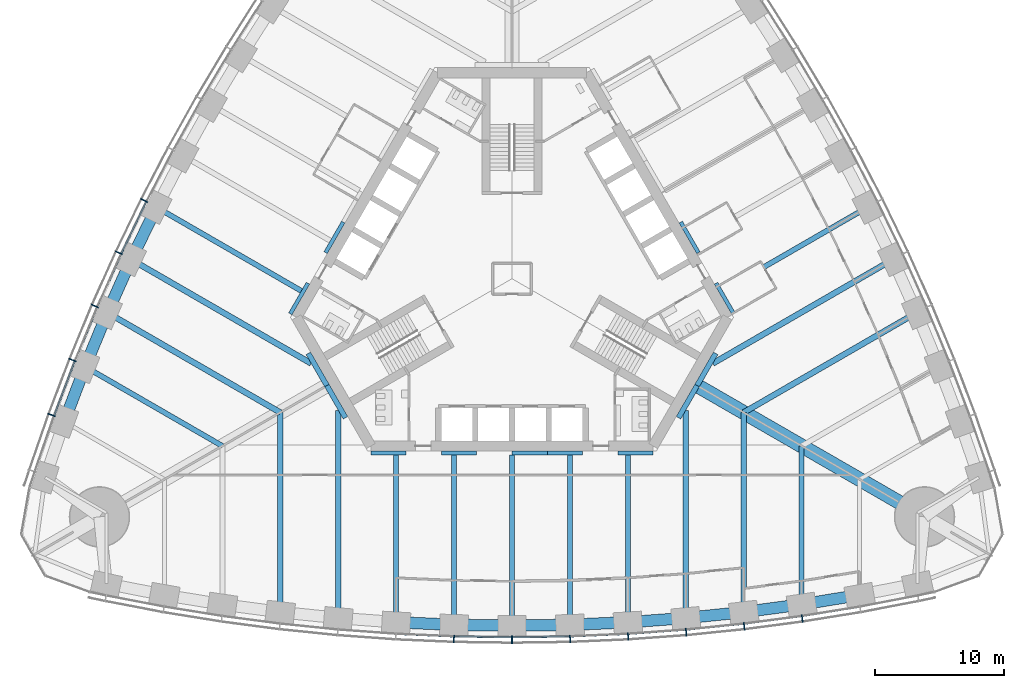
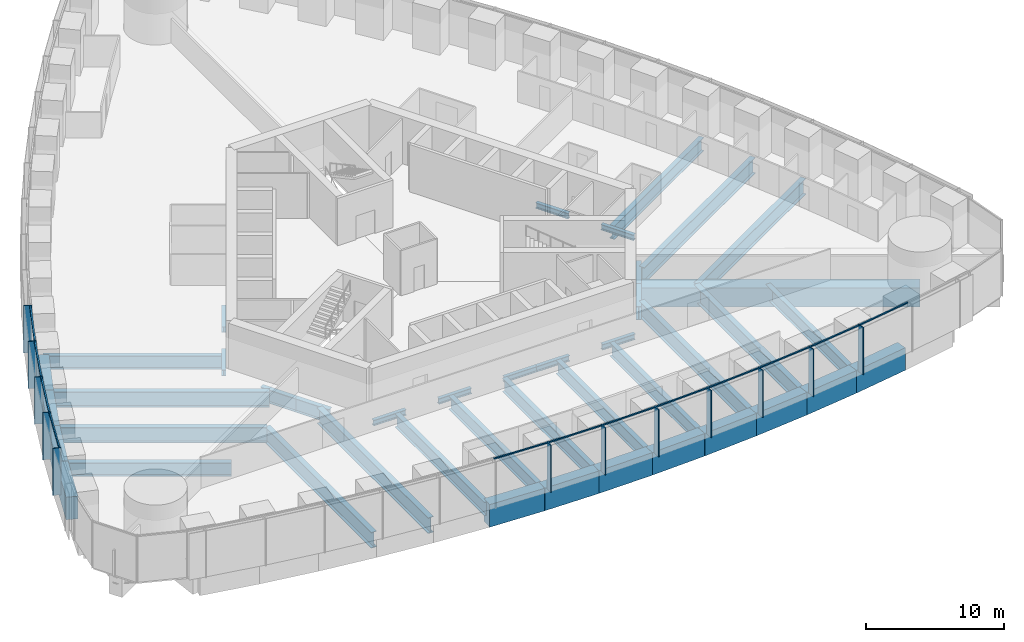
# One storey, part 3 of 19: 43 beams, 24 members, 2 elements without a shape of their own.
"""IFC4 building model written with IfcOpenShell, lengths in metres."""

from ifc_helpers import new_model, si_unit, direction, frame, origin, origin_2d, place, context, subcontext, project, spatial, rectangle, i_section, extrude, material, material_profile, profile_set, type_object, element, aggregate, save


model = new_model("IFC4")

# Units and contexts
model_context = context("Model", 3, precision=1e-05, world=origin(), true_north=direction((0.0, 1.0)))
body_context = subcontext(model_context, "Body", "Model", "MODEL_VIEW")
ifc_project = project(units=[si_unit("LENGTHUNIT", "METRE"), si_unit("AREAUNIT", "SQUARE_METRE"), si_unit("VOLUMEUNIT", "CUBIC_METRE"), si_unit("PLANEANGLEUNIT", "RADIAN"), si_unit("MASSUNIT", "GRAM", prefix="KILO")], contexts=[model_context])

# Site, building, storey
site_placement = place(None, origin())
site = spatial("IfcSite", under=ifc_project, at=site_placement, CompositionType="ELEMENT")
building_placement = place(site_placement, origin())
building = spatial("IfcBuilding", under=site, at=building_placement, Name="Trefoil Bronze Tower", CompositionType="ELEMENT")
storey_placement = place(building_placement, frame((0.0, 0.0, 83.699951171875)))
storey = spatial("IfcBuildingStorey", under=building, at=storey_placement, Name="L19", CompositionType="ELEMENT", Elevation=83.699951171875)

# Curtain wall, members
ifc_material_1 = material(Name="Tinted solar-control glass", Category="glass")
curtain_wall_type = type_object("IfcCurtainWallType", Name="Bronze office curtain wall", PredefinedType="USERDEFINED", material=ifc_material_1)
curtain_wall_1_placement = place(storey_placement, origin())
curtain_wall_1 = element("IfcCurtainWall", 1, at=curtain_wall_1_placement, inside=storey, type_object=curtain_wall_type, Name="CW-A L19 F1", ObjectType="CURTAIN WALL", PredefinedType="USERDEFINED")
ifc_material_2 = material(Name="Bronze-finish aluminium", Category="aluminium")
ifc_material_profile_1 = material_profile(ifc_material_2, rectangle(XDim=0.60009765625, YDim=0.080078125, at=origin_2d()), Name="CW-A mullion")
ifc_profile_set_1 = profile_set([ifc_material_profile_1], Name="Bronze-finish aluminium")
member_type_1 = type_object("IfcMemberType", Name="Bronze office curtain wall mullion", PredefinedType="MULLION", material=ifc_profile_set_1)
member_1_placement = place(storey_placement, frame((-4.5087890625, -27.9833984375, 0.0), z_axis=(0.0, 0.0, 1.0), x_axis=(0.029021671584, 0.999578782577, 0.0)))
member_1 = element("IfcMember", 2, at=member_1_placement, type_object=member_type_1, Name="CW-A L19 F1 mullion 8", PredefinedType="MULLION", context=body_context, shape_type="SweptSolid", body=[
    extrude(rectangle(XDim=0.60009765625, YDim=0.080078125, at=origin_2d()), origin(), (0.0, 0.0, 1.0), 4.179931640625),
])
member_2_placement = place(storey_placement, frame((0.0, -28.048828125, 0.0), z_axis=(0.0, 0.0, 1.0), x_axis=(0.0, 1.0, 0.0)))
member_2 = element("IfcMember", 3, at=member_2_placement, type_object=member_type_1, Name="CW-A L19 F1 mullion 9", PredefinedType="MULLION", context=body_context, shape_type="SweptSolid", body=[
    extrude(rectangle(XDim=0.60009765625, YDim=0.080078125, at=origin_2d()), origin(), (0.0, 0.0, 1.0), 4.179931640625),
])
member_3_placement = place(storey_placement, frame((4.5087890625, -27.9833984375, 0.0), z_axis=(0.0, 0.0, 1.0), x_axis=(-0.029021671584, 0.999578782577, 0.0)))
member_3 = element("IfcMember", 4, at=member_3_placement, type_object=member_type_1, Name="CW-A L19 F1 mullion 10", PredefinedType="MULLION", context=body_context, shape_type="SweptSolid", body=[
    extrude(rectangle(XDim=0.60009765625, YDim=0.080078125, at=origin_2d()), origin(), (0.0, 0.0, 1.0), 4.179931640625),
])
member_4_placement = place(storey_placement, frame((9.017333984375, -27.786865234375, 0.0), z_axis=(0.0, 0.0, 1.0), x_axis=(-0.058043374207, 0.998314062162, 0.0)))
member_4 = element("IfcMember", 5, at=member_4_placement, type_object=member_type_1, Name="CW-A L19 F1 mullion 11", PredefinedType="MULLION", context=body_context, shape_type="SweptSolid", body=[
    extrude(rectangle(XDim=0.60009765625, YDim=0.080078125, at=origin_2d()), origin(), (0.0, 0.0, 1.0), 4.179931640625),
])
member_5_placement = place(storey_placement, frame((13.526123046875, -27.458984375, 0.0), z_axis=(0.0, 0.0, 1.0), x_axis=(-0.087065139456, 0.996202620701, 0.0)))
member_5 = element("IfcMember", 6, at=member_5_placement, type_object=member_type_1, Name="CW-A L19 F1 mullion 12", PredefinedType="MULLION", context=body_context, shape_type="SweptSolid", body=[
    extrude(rectangle(XDim=0.60009765625, YDim=0.080078125, at=origin_2d()), origin(), (0.0, 0.0, 1.0), 4.179931640625),
])
member_6_placement = place(storey_placement, frame((18.034912109375, -26.99853515625, 0.0), z_axis=(0.0, 0.0, 1.0), x_axis=(-0.116086999973, 0.993239048989, 0.0)))
member_6 = element("IfcMember", 7, at=member_6_placement, type_object=member_type_1, Name="CW-A L19 F1 mullion 13", PredefinedType="MULLION", context=body_context, shape_type="SweptSolid", body=[
    extrude(rectangle(XDim=0.60009765625, YDim=0.080078125, at=origin_2d()), origin(), (0.0, 0.0, 1.0), 4.179931640625),
])
member_7_placement = place(storey_placement, frame((22.54345703125, -26.40478515625, 0.0), z_axis=(0.0, 0.0, 1.0), x_axis=(-0.145108990094, 0.989415676546, 0.0)))
member_7 = element("IfcMember", 8, at=member_7_placement, type_object=member_type_1, Name="CW-A L19 F1 mullion 14", PredefinedType="MULLION", context=body_context, shape_type="SweptSolid", body=[
    extrude(rectangle(XDim=0.60009765625, YDim=0.080078125, at=origin_2d()), origin(), (0.0, 0.0, 1.0), 4.179931640625),
])

curtain_wall_2_placement = place(storey_placement, origin())
curtain_wall_2 = element("IfcCurtainWall", 9, at=curtain_wall_2_placement, inside=storey, type_object=curtain_wall_type, Name="CW-A L19 F3", ObjectType="CURTAIN WALL", PredefinedType="USERDEFINED")
member_8_placement = place(storey_placement, frame((-28.57275390625, 6.084228515625, 0.0), z_axis=(0.0, 0.0, 1.0), x_axis=(0.893587025891, -0.448889994497, 0.0)))
member_8 = element("IfcMember", 10, at=member_8_placement, type_object=member_type_1, Name="CW-A L19 F3 mullion 11", PredefinedType="MULLION", context=body_context, shape_type="SweptSolid", body=[
    extrude(rectangle(XDim=0.60009765625, YDim=0.080078125, at=origin_2d()), origin(), (0.0, 0.0, 1.0), 4.179931640625),
])
member_9_placement = place(storey_placement, frame((-30.543212890625, 2.015380859375, 0.0), z_axis=(0.0, 0.0, 1.0), x_axis=(0.906269346572, -0.422700687798, 0.0)))
member_9 = element("IfcMember", 11, at=member_9_placement, type_object=member_type_1, Name="CW-A L19 F3 mullion 12", PredefinedType="MULLION", context=body_context, shape_type="SweptSolid", body=[
    extrude(rectangle(XDim=0.60009765625, YDim=0.080078125, at=origin_2d()), origin(), (0.0, 0.0, 1.0), 4.179931640625),
])
member_10_placement = place(storey_placement, frame((-32.39892578125, -2.119384765625, 0.0), z_axis=(0.0, 0.0, 1.0), x_axis=(0.918213748442, -0.396085233469, 0.0)))
member_10 = element("IfcMember", 12, at=member_10_placement, type_object=member_type_1, Name="CW-A L19 F3 mullion 13", PredefinedType="MULLION", context=body_context, shape_type="SweptSolid", body=[
    extrude(rectangle(XDim=0.60009765625, YDim=0.080078125, at=origin_2d()), origin(), (0.0, 0.0, 1.0), 4.179931640625),
])
member_11_placement = place(storey_placement, frame((-34.138916015625, -6.32080078125, 0.0), z_axis=(0.0, 0.0, 1.0), x_axis=(0.929413605838, -0.369039766534, 0.0)))
member_11 = element("IfcMember", 13, at=member_11_placement, type_object=member_type_1, Name="CW-A L19 F3 mullion 14", PredefinedType="MULLION", context=body_context, shape_type="SweptSolid", body=[
    extrude(rectangle(XDim=0.60009765625, YDim=0.080078125, at=origin_2d()), origin(), (0.0, 0.0, 1.0), 4.179931640625),
])
member_12_placement = place(storey_placement, frame((-35.761962890625, -10.590087890625, 0.0), z_axis=(0.0, 0.0, 1.0), x_axis=(0.939860248316, -0.341559238839, 0.0)))
member_12 = element("IfcMember", 14, at=member_12_placement, type_object=member_type_1, Name="CW-A L19 F3 mullion 15", PredefinedType="MULLION", context=body_context, shape_type="SweptSolid", body=[
    extrude(rectangle(XDim=0.60009765625, YDim=0.080078125, at=origin_2d()), origin(), (0.0, 0.0, 1.0), 4.179931640625),
])

# Member
ifc_material_3 = material(Name="Bronze-finish aluminium", Category="aluminium")
ifc_material_profile_2 = material_profile(ifc_material_3, rectangle(XDim=0.1201171875, YDim=0.10009765625, at=origin_2d()), Name="CW-A transom")
ifc_profile_set_2 = profile_set([ifc_material_profile_2], Name="Bronze-finish aluminium")
member_type_2 = type_object("IfcMemberType", Name="Bronze office curtain wall transom", PredefinedType="USERDEFINED", material=ifc_profile_set_2)
member_13_placement = place(storey_placement, frame((-8.96435546875, -27.589111328125, 4.130126953125), z_axis=(0.999054074786, -0.043485119914, 0.0), x_axis=(0.043485119914, 0.999054074786, 0.0)))
member_13 = element("IfcMember", 15, at=member_13_placement, type_object=member_type_2, Name="CW-A L19 F1 transom 7", ObjectType="TRANSOM", PredefinedType="USERDEFINED", context=body_context, shape_type="SweptSolid", body=[
    extrude(rectangle(XDim=0.1201171875, YDim=0.10009765625, at=origin_2d()), origin(), (0.0, 0.0, 1.0), 4.424072265625),
])

member_14_placement = place(storey_placement, frame((-4.46142578125, -27.783935546875, 4.130126953125), z_axis=(0.999894497273, -0.014525643658, 0.0), x_axis=(0.014525643658, 0.999894497273, 0.0)))
member_14 = element("IfcMember", 16, at=member_14_placement, type_object=member_type_2, Name="CW-A L19 F1 transom 8", ObjectType="TRANSOM", PredefinedType="USERDEFINED", context=body_context, shape_type="SweptSolid", body=[
    extrude(rectangle(XDim=0.1201171875, YDim=0.10009765625, at=origin_2d()), origin(), (0.0, 0.0, 1.0), 4.42041015625),
])

member_15_placement = place(storey_placement, frame((0.04150390625, -27.84814453125, 4.130126953125), z_axis=(0.999894497273, 0.014525643658, 0.0), x_axis=(-0.014525643658, 0.999894497273, 0.0)))
member_15 = element("IfcMember", 17, at=member_15_placement, type_object=member_type_2, Name="CW-A L19 F1 transom 9", ObjectType="TRANSOM", PredefinedType="USERDEFINED", context=body_context, shape_type="SweptSolid", body=[
    extrude(rectangle(XDim=0.1201171875, YDim=0.10009765625, at=origin_2d()), origin(), (0.0, 0.0, 1.0), 4.42041015625),
])

member_16_placement = place(storey_placement, frame((4.54443359375, -27.781494140625, 4.130126953125), z_axis=(0.999054074786, 0.043485119914, 0.0), x_axis=(-0.043485119914, 0.999054074786, 0.0)))
member_16 = element("IfcMember", 18, at=member_16_placement, type_object=member_type_2, Name="CW-A L19 F1 transom 10", ObjectType="TRANSOM", PredefinedType="USERDEFINED", context=body_context, shape_type="SweptSolid", body=[
    extrude(rectangle(XDim=0.1201171875, YDim=0.10009765625, at=origin_2d()), origin(), (0.0, 0.0, 1.0), 4.424072265625),
])

member_17_placement = place(storey_placement, frame((9.047119140625, -27.584228515625, 4.130126953125), z_axis=(0.997364729945, 0.07255064067, 0.0), x_axis=(-0.07255064067, 0.997364729945, 0.0)))
member_17 = element("IfcMember", 19, at=member_17_placement, type_object=member_type_2, Name="CW-A L19 F1 transom 11", ObjectType="TRANSOM", PredefinedType="USERDEFINED", context=body_context, shape_type="SweptSolid", body=[
    extrude(rectangle(XDim=0.1201171875, YDim=0.10009765625, at=origin_2d()), origin(), (0.0, 0.0, 1.0), 4.431884765625),
])

member_18_placement = place(storey_placement, frame((13.550048828125, -27.25537109375, 4.130126953125), z_axis=(0.994831650915, 0.101538102888, 0.0), x_axis=(-0.101538102888, 0.994831650915, 0.0)))
member_18 = element("IfcMember", 20, at=member_18_placement, type_object=member_type_2, Name="CW-A L19 F1 transom 12", ObjectType="TRANSOM", PredefinedType="USERDEFINED", context=body_context, shape_type="SweptSolid", body=[
    extrude(rectangle(XDim=0.1201171875, YDim=0.10009765625, at=origin_2d()), origin(), (0.0, 0.0, 1.0), 4.443359375),
])

member_19_placement = place(storey_placement, frame((18.052734375, -26.79443359375, 4.130126953125), z_axis=(0.991436581643, 0.13058906761, 0.0), x_axis=(-0.13058906761, 0.991436581643, 0.0)))
member_19 = element("IfcMember", 21, at=member_19_placement, type_object=member_type_2, Name="CW-A L19 F1 transom 13", ObjectType="TRANSOM", PredefinedType="USERDEFINED", context=body_context, shape_type="SweptSolid", body=[
    extrude(rectangle(XDim=0.1201171875, YDim=0.10009765625, at=origin_2d()), origin(), (0.0, 0.0, 1.0), 4.458740234375),
])

member_20_placement = place(storey_placement, frame((22.555419921875, -26.2001953125, 4.130126953125), z_axis=(0.987179401487, 0.159614627398, 0.0), x_axis=(-0.159614627398, 0.987179401487, 0.0)))
member_20 = element("IfcMember", 22, at=member_20_placement, type_object=member_type_2, Name="CW-A L19 F1 transom 14", ObjectType="TRANSOM", PredefinedType="USERDEFINED", context=body_context, shape_type="SweptSolid", body=[
    extrude(rectangle(XDim=0.1201171875, YDim=0.10009765625, at=origin_2d()), origin(), (0.0, 0.0, 1.0), 4.478515625),
])

aggregate(curtain_wall_1, [member_1, member_2, member_3, member_4, member_5, member_6, member_7, member_13, member_14, member_15, member_16, member_17, member_18, member_19, member_20])

member_21_placement = place(storey_placement, frame((-28.412109375, 5.95703125, 4.130126953125), z_axis=(-0.435851763293, -0.900018466719, 0.0), x_axis=(0.900018466719, -0.435851763293, 0.0)))
member_21 = element("IfcMember", 23, at=member_21_placement, type_object=member_type_2, Name="CW-A L19 F3 transom 11", ObjectType="TRANSOM", PredefinedType="USERDEFINED", context=body_context, shape_type="SweptSolid", body=[
    extrude(rectangle(XDim=0.1201171875, YDim=0.10009765625, at=origin_2d()), origin(), (0.0, 0.0, 1.0), 4.431884765625),
])

member_22_placement = place(storey_placement, frame((-30.37890625, 1.89306640625, 4.130126953125), z_axis=(-0.409459746452, -0.912328184392, 0.0), x_axis=(0.912328184392, -0.409459746452, 0.0)))
member_22 = element("IfcMember", 24, at=member_22_placement, type_object=member_type_2, Name="CW-A L19 F3 transom 12", ObjectType="TRANSOM", PredefinedType="USERDEFINED", context=body_context, shape_type="SweptSolid", body=[
    extrude(rectangle(XDim=0.1201171875, YDim=0.10009765625, at=origin_2d()), origin(), (0.0, 0.0, 1.0), 4.443359375),
])

member_23_placement = place(storey_placement, frame((-32.231201171875, -2.23681640625, 4.130126953125), z_axis=(-0.382616149417, -0.923907399151, 0.0), x_axis=(0.923907399151, -0.382616149417, 0.0)))
member_23 = element("IfcMember", 25, at=member_23_placement, type_object=member_type_2, Name="CW-A L19 F3 transom 13", ObjectType="TRANSOM", PredefinedType="USERDEFINED", context=body_context, shape_type="SweptSolid", body=[
    extrude(rectangle(XDim=0.1201171875, YDim=0.10009765625, at=origin_2d()), origin(), (0.0, 0.0, 1.0), 4.458984375),
])

member_24_placement = place(storey_placement, frame((-33.9677734375, -6.433349609375, 4.130126953125), z_axis=(-0.355367327392, -0.934726731522, 0.0), x_axis=(0.934726731522, -0.355367327392, 0.0)))
member_24 = element("IfcMember", 26, at=member_24_placement, type_object=member_type_2, Name="CW-A L19 F3 transom 14", ObjectType="TRANSOM", PredefinedType="USERDEFINED", context=body_context, shape_type="SweptSolid", body=[
    extrude(rectangle(XDim=0.1201171875, YDim=0.10009765625, at=origin_2d()), origin(), (0.0, 0.0, 1.0), 4.478515625),
])

aggregate(curtain_wall_2, [member_8, member_9, member_10, member_11, member_12, member_21, member_22, member_23, member_24])

# Beams
ifc_material_4 = material(Name="Steel C355", Category="steel")
ifc_material_profile_3 = material_profile(ifc_material_4, i_section(OverallWidth=0.300048828125, OverallDepth=0.5, WebThickness=0.014404296875, FlangeThickness=0.028076171875, FilletRadius=0.027099609375, at=origin_2d()), Name="HEB 500")
ifc_profile_set_3 = profile_set([ifc_material_profile_3], Name="Steel C355")
beam_type_1 = type_object("IfcBeamType", Name="Core seat beam HEB 500", PredefinedType="BEAM", material=ifc_profile_set_3)
for number, where, z_axis, x_axis, name in (
    (27, (-10.9697265625, -13.550048828125, -0.449951171875), (1.0, 0.0, 0.0), (0.0, 1.0, 0.0), "Core seat beam F1/-2 L19"),
    (28, (-5.48486328125, -13.550048828125, -0.449951171875), (1.0, 0.0, 0.0), (0.0, 1.0, 0.0), "Core seat beam F1/-1 L19"),
    (29, (0.0, -13.550048828125, -0.449951171875), (1.0, 0.0, 0.0), (0.0, 1.0, 0.0), "Core seat beam F1/+0 L19"),
    (30, (2.742431640625, -13.550048828125, -0.449951171875), (1.0, 0.0, 0.0), (0.0, 1.0, 0.0), "Core seat beam F1/+1 L19"),
    (31, (8.227294921875, -13.550048828125, -0.449951171875), (1.0, 0.0, 0.0), (0.0, 1.0, 0.0), "Core seat beam F1/+2 L19"),
    (32, (17.219482421875, -2.72509765625, -0.449951171875), (-0.500035825175, 0.866004719122, 0.0), (-0.866004719122, -0.500035825175, 0.0), "Core seat beam F2/-2 L19"),
    (33, (14.47705078125, 2.02490234375, -0.449951171875), (-0.499969057507, 0.866043267704, 0.0), (-0.866043267704, -0.499969057507, 0.0), "Core seat beam F2/-1 L19"),
    (34, (-13.10595703125, 4.39990234375, -0.449951171875), (-0.499969057507, -0.866043267704, 0.0), (0.866043267704, -0.499969057507, 0.0), "Core seat beam F3/+1 L19"),
    (35, (-15.84814453125, -0.35009765625, -0.449951171875), (-0.500035825175, -0.866004719122, 0.0), (0.866004719122, -0.500035825175, 0.0), "Core seat beam F3/+2 L19"),
):
    element("IfcBeam", number, at=place(storey_placement, frame(where, z_axis=z_axis, x_axis=x_axis)), inside=storey, type_object=beam_type_1, Name=name, PredefinedType="BEAM", context=body_context, shape_type="SweptSolid", body=[
        extrude(i_section(OverallWidth=0.300048828125, OverallDepth=0.5, WebThickness=0.014404296875, FlangeThickness=0.028076171875, FilletRadius=0.027099609375, at=origin_2d()), origin(), (0.0, 0.0, 1.0), 2.742431640625),
    ])
ifc_material_5 = material(Name="Steel C355", Category="steel")
ifc_material_profile_4 = material_profile(ifc_material_5, i_section(OverallWidth=0.39990234375, OverallDepth=1.199951171875, WebThickness=0.02001953125, FlangeThickness=0.0400390625, FilletRadius=0.010009765625, at=origin_2d()), Name="WPG 1200")
ifc_profile_set_4 = profile_set([ifc_material_profile_4], Name="Steel C355")
beam_type_2 = type_object("IfcBeamType", Name="Core seat beam WPG 1200", PredefinedType="BEAM", material=ifc_profile_set_4)
for number, where, z_axis, x_axis, name in (
    (36, (-14.3759765625, -8.300048828125, -0.800048828125), (0.499995765644, -0.866027848477, 0.0), (0.866027848477, 0.499995765644, 0.0), "Core seat beam F1/-3 L19"),
    (37, (12.9326171875, -10.800048828125, -0.800048828125), (0.499995765644, 0.866027848477, 0.0), (-0.866027848477, 0.499995765644, 0.0), "Core seat beam F1/+3 L19"),
    (38, (14.3759765625, -8.300048828125, -0.800048828125), (0.499995765644, 0.866027848477, 0.0), (-0.866027848477, 0.499995765644, 0.0), "Core seat beam F2/-3 L19"),
    (39, (-15.8193359375, -5.800048828125, -0.800048828125), (0.499995765644, -0.866027848477, 0.0), (0.866027848477, 0.499995765644, 0.0), "Core seat beam F3/+3 L19"),
):
    element("IfcBeam", number, at=place(storey_placement, frame(where, z_axis=z_axis, x_axis=x_axis)), inside=storey, type_object=beam_type_2, Name=name, PredefinedType="BEAM", context=body_context, shape_type="SweptSolid", body=[
        extrude(i_section(OverallWidth=0.39990234375, OverallDepth=1.199951171875, WebThickness=0.02001953125, FlangeThickness=0.0400390625, FilletRadius=0.010009765625, at=origin_2d()), origin(), (0.0, 0.0, 1.0), 2.88671875),
    ])
ifc_material_6 = material(Name="Concrete B80", Category="concrete")
ifc_material_profile_5 = material_profile(ifc_material_6, rectangle(XDim=1.10009765625, YDim=1.699951171875, at=origin_2d()), Name="RC 1100x1700")
ifc_profile_set_5 = profile_set([ifc_material_profile_5], Name="Concrete B80")
beam_type_3 = type_object("IfcBeamType", Name="Corner girder RC 1100x1700", PredefinedType="BEAM", material=ifc_profile_set_5)
beam_1_placement = place(storey_placement, frame((14.202880859375, -8.199951171875, -1.050048828125), z_axis=(0.866023947468, -0.500002522405, 0.0), x_axis=(0.500002522405, 0.866023947468, 0.0)))
element("IfcBeam", 40, at=beam_1_placement, inside=storey, type_object=beam_type_3, Name="Corner girder K1 L19", PredefinedType="BEAM", context=body_context, shape_type="SweptSolid", body=[
    extrude(rectangle(XDim=1.10009765625, YDim=1.699951171875, at=origin_2d()), origin(), (0.0, 0.0, 1.0), 20.60009765625),
])
ifc_material_7 = material(Name="Steel C355", Category="steel")
ifc_material_profile_6 = material_profile(ifc_material_7, i_section(OverallWidth=0.39990234375, OverallDepth=1.199951171875, WebThickness=0.02001953125, FlangeThickness=0.0400390625, FilletRadius=0.010009765625, at=origin_2d()), Name="WPG 1200")
ifc_profile_set_6 = profile_set([ifc_material_profile_6], Name="Steel C355")
beam_type_4 = type_object("IfcBeamType", Name="Floor beam WPG 1200", PredefinedType="BEAM", material=ifc_profile_set_6)
beam_2_placement = place(storey_placement, frame((-9.0, -26.68603515625, -0.800048828125), z_axis=(0.0, 1.0, 0.0), x_axis=(-1.0, 0.0, 0.0)))
element("IfcBeam", 41, at=beam_2_placement, inside=storey, type_object=beam_type_4, Name="Floor beam F1/-2 L19", PredefinedType="BEAM", context=body_context, shape_type="SweptSolid", body=[
    extrude(i_section(OverallWidth=0.39990234375, OverallDepth=1.199951171875, WebThickness=0.02001953125, FlangeThickness=0.0400390625, FilletRadius=0.010009765625, at=origin_2d()), origin(), (0.0, 0.0, 1.0), 12.986083984375),
])
beam_3_placement = place(storey_placement, frame((-4.5, -26.883056640625, -0.800048828125), z_axis=(0.0, 1.0, 0.0), x_axis=(-1.0, 0.0, 0.0)))
element("IfcBeam", 42, at=beam_3_placement, inside=storey, type_object=beam_type_4, Name="Floor beam F1/-1 L19", PredefinedType="BEAM", context=body_context, shape_type="SweptSolid", body=[
    extrude(i_section(OverallWidth=0.39990234375, OverallDepth=1.199951171875, WebThickness=0.02001953125, FlangeThickness=0.0400390625, FilletRadius=0.010009765625, at=origin_2d()), origin(), (0.0, 0.0, 1.0), 13.18310546875),
])
beam_4_placement = place(storey_placement, frame((0.0, -26.94873046875, -0.800048828125), z_axis=(0.0, 1.0, 0.0), x_axis=(-1.0, 0.0, 0.0)))
element("IfcBeam", 43, at=beam_4_placement, inside=storey, type_object=beam_type_4, Name="Floor beam F1/+0 L19", PredefinedType="BEAM", context=body_context, shape_type="SweptSolid", body=[
    extrude(i_section(OverallWidth=0.39990234375, OverallDepth=1.199951171875, WebThickness=0.02001953125, FlangeThickness=0.0400390625, FilletRadius=0.010009765625, at=origin_2d()), origin(), (0.0, 0.0, 1.0), 13.248779296875),
])
beam_5_placement = place(storey_placement, frame((4.5, -26.883056640625, -0.800048828125), z_axis=(0.0, 1.0, 0.0), x_axis=(-1.0, 0.0, 0.0)))
element("IfcBeam", 44, at=beam_5_placement, inside=storey, type_object=beam_type_4, Name="Floor beam F1/+1 L19", PredefinedType="BEAM", context=body_context, shape_type="SweptSolid", body=[
    extrude(i_section(OverallWidth=0.39990234375, OverallDepth=1.199951171875, WebThickness=0.02001953125, FlangeThickness=0.0400390625, FilletRadius=0.010009765625, at=origin_2d()), origin(), (0.0, 0.0, 1.0), 13.18310546875),
])
beam_6_placement = place(storey_placement, frame((9.0, -26.68603515625, -0.800048828125), z_axis=(0.0, 1.0, 0.0), x_axis=(-1.0, 0.0, 0.0)))
element("IfcBeam", 45, at=beam_6_placement, inside=storey, type_object=beam_type_4, Name="Floor beam F1/+2 L19", PredefinedType="BEAM", context=body_context, shape_type="SweptSolid", body=[
    extrude(i_section(OverallWidth=0.39990234375, OverallDepth=1.199951171875, WebThickness=0.02001953125, FlangeThickness=0.0400390625, FilletRadius=0.010009765625, at=origin_2d()), origin(), (0.0, 0.0, 1.0), 12.986083984375),
])
beam_7_placement = place(storey_placement, frame((22.5, -25.29931640625, -0.800048828125), z_axis=(0.0, 1.0, 0.0), x_axis=(-1.0, 0.0, 0.0)))
element("IfcBeam", 46, at=beam_7_placement, inside=storey, type_object=beam_type_4, Name="Floor beam F1/+5 L19", PredefinedType="BEAM", context=body_context, shape_type="SweptSolid", body=[
    extrude(i_section(OverallWidth=0.39990234375, OverallDepth=1.199951171875, WebThickness=0.02001953125, FlangeThickness=0.0400390625, FilletRadius=0.010009765625, at=origin_2d()), origin(), (0.0, 0.0, 1.0), 12.308837890625),
])
for number, where, z_axis, x_axis, name in (
    (47, (27.61083984375, 5.548828125, -0.800048828125), (-0.866022474361, -0.500005073876, 0.0), (0.500005073876, -0.866022474361, 0.0), "Floor beam F2/-2 L19"),
    (48, (-27.61083984375, 5.548828125, -0.800048828125), (0.866022474361, -0.500005073876, 0.0), (0.500005073876, 0.866022474361, 0.0), "Floor beam F3/+2 L19"),
):
    element("IfcBeam", number, at=place(storey_placement, frame(where, z_axis=z_axis, x_axis=x_axis)), inside=storey, type_object=beam_type_4, Name=name, PredefinedType="BEAM", context=body_context, shape_type="SweptSolid", body=[
        extrude(i_section(OverallWidth=0.39990234375, OverallDepth=1.199951171875, WebThickness=0.02001953125, FlangeThickness=0.0400390625, FilletRadius=0.010009765625, at=origin_2d()), origin(), (0.0, 0.0, 1.0), 12.986083984375),
    ])
beam_8_placement = place(storey_placement, frame((-33.159912109375, -6.8359375, -0.800048828125), z_axis=(0.866024070878, -0.500002308654, 0.0), x_axis=(0.500002308654, 0.866024070878, 0.0)))
element("IfcBeam", 49, at=beam_8_placement, inside=storey, type_object=beam_type_4, Name="Floor beam F3/+5 L19", PredefinedType="BEAM", context=body_context, shape_type="SweptSolid", body=[
    extrude(i_section(OverallWidth=0.39990234375, OverallDepth=1.199951171875, WebThickness=0.02001953125, FlangeThickness=0.0400390625, FilletRadius=0.010009765625, at=origin_2d()), origin(), (0.0, 0.0, 1.0), 12.30908203125),
])
ifc_material_8 = material(Name="Steel C355", Category="steel")
ifc_material_profile_7 = material_profile(ifc_material_8, i_section(OverallWidth=0.449951171875, OverallDepth=1.39990234375, WebThickness=0.02294921875, FlangeThickness=0.044921875, FilletRadius=0.011962890625, at=origin_2d()), Name="WPG 1400")
ifc_profile_set_7 = profile_set([ifc_material_profile_7], Name="Steel C355")
beam_type_5 = type_object("IfcBeamType", Name="Floor beam WPG 1400", PredefinedType="BEAM", material=ifc_profile_set_7)
beam_9_placement = place(storey_placement, frame((-18.0, -25.895263671875, -0.89990234375), z_axis=(0.0, 1.0, 0.0), x_axis=(-1.0, 0.0, 0.0)))
element("IfcBeam", 50, at=beam_9_placement, inside=storey, type_object=beam_type_5, Name="Floor beam F1/-4 L19", PredefinedType="BEAM", context=body_context, shape_type="SweptSolid", body=[
    extrude(i_section(OverallWidth=0.449951171875, OverallDepth=1.39990234375, WebThickness=0.02294921875, FlangeThickness=0.044921875, FilletRadius=0.011962890625, at=origin_2d()), origin(), (0.0, 0.0, 1.0), 15.5029296875),
])
for number, where, z_axis, x_axis, name in (
    (51, (-13.5, -26.35693359375, -0.89990234375), (0.0, 1.0, 0.0), (-1.0, 0.0, 0.0), "Floor beam F1/-3 L19"),
    (52, (13.5, -26.35693359375, -0.89990234375), (0.0, 1.0, 0.0), (-1.0, 0.0, 0.0), "Floor beam F1/+3 L19"),
):
    element("IfcBeam", number, at=place(storey_placement, frame(where, z_axis=z_axis, x_axis=x_axis)), inside=storey, type_object=beam_type_5, Name=name, PredefinedType="BEAM", context=body_context, shape_type="SweptSolid", body=[
        extrude(i_section(OverallWidth=0.449951171875, OverallDepth=1.39990234375, WebThickness=0.02294921875, FlangeThickness=0.044921875, FilletRadius=0.011962890625, at=origin_2d()), origin(), (0.0, 0.0, 1.0), 16.1396484375),
    ])
beam_10_placement = place(storey_placement, frame((18.0, -25.895263671875, -0.89990234375), z_axis=(0.0, 1.0, 0.0), x_axis=(-1.0, 0.0, 0.0)))
element("IfcBeam", 53, at=beam_10_placement, inside=storey, type_object=beam_type_5, Name="Floor beam F1/+4 L19", PredefinedType="BEAM", context=body_context, shape_type="SweptSolid", body=[
    extrude(i_section(OverallWidth=0.449951171875, OverallDepth=1.39990234375, WebThickness=0.02294921875, FlangeThickness=0.044921875, FilletRadius=0.011962890625, at=origin_2d()), origin(), (0.0, 0.0, 1.0), 15.5029296875),
])
beam_11_placement = place(storey_placement, frame((31.42578125, -2.640869140625, -0.89990234375), z_axis=(-0.866022989816, -0.500004181093, 0.0), x_axis=(0.500004181093, -0.866022989816, 0.0)))
element("IfcBeam", 54, at=beam_11_placement, inside=storey, type_object=beam_type_5, Name="Floor beam F2/-4 L19", PredefinedType="BEAM", context=body_context, shape_type="SweptSolid", body=[
    extrude(i_section(OverallWidth=0.449951171875, OverallDepth=1.39990234375, WebThickness=0.02294921875, FlangeThickness=0.044921875, FilletRadius=0.011962890625, at=origin_2d()), origin(), (0.0, 0.0, 1.0), 15.502685546875),
])
for number, where, z_axis, x_axis, name in (
    (55, (29.575927734375, 1.487060546875, -0.89990234375), (-0.866028401131, -0.499994808408, 0.0), (0.499994808408, -0.866028401131, 0.0), "Floor beam F2/-3 L19"),
    (56, (-29.575927734375, 1.487060546875, -0.89990234375), (0.866028401131, -0.499994808408, 0.0), (0.499994808408, 0.866028401131, 0.0), "Floor beam F3/+3 L19"),
):
    element("IfcBeam", number, at=place(storey_placement, frame(where, z_axis=z_axis, x_axis=x_axis)), inside=storey, type_object=beam_type_5, Name=name, PredefinedType="BEAM", context=body_context, shape_type="SweptSolid", body=[
        extrude(i_section(OverallWidth=0.449951171875, OverallDepth=1.39990234375, WebThickness=0.02294921875, FlangeThickness=0.044921875, FilletRadius=0.011962890625, at=origin_2d()), origin(), (0.0, 0.0, 1.0), 16.139892578125),
    ])
beam_12_placement = place(storey_placement, frame((-31.42578125, -2.640869140625, -0.89990234375), z_axis=(0.866022989816, -0.500004181093, 0.0), x_axis=(0.500004181093, 0.866022989816, 0.0)))
element("IfcBeam", 57, at=beam_12_placement, inside=storey, type_object=beam_type_5, Name="Floor beam F3/+4 L19", PredefinedType="BEAM", context=body_context, shape_type="SweptSolid", body=[
    extrude(i_section(OverallWidth=0.449951171875, OverallDepth=1.39990234375, WebThickness=0.02294921875, FlangeThickness=0.044921875, FilletRadius=0.011962890625, at=origin_2d()), origin(), (0.0, 0.0, 1.0), 15.502685546875),
])
ifc_material_9 = material(Name="Concrete B80", Category="concrete")
ifc_material_profile_8 = material_profile(ifc_material_9, rectangle(XDim=0.89990234375, YDim=2.0, at=origin_2d()), Name="RC 900x2000")
ifc_profile_set_8 = profile_set([ifc_material_profile_8], Name="Concrete B80")
beam_type_6 = type_object("IfcBeamType", Name="Spandrel beam RC 900x2000", PredefinedType="SPANDREL", material=ifc_profile_set_8)
beam_13_placement = place(storey_placement, frame((-9.0, -26.68603515625, -1.199951171875), z_axis=(0.999042919826, -0.043740648671, 0.0), x_axis=(0.043740648671, 0.999042919826, 0.0)))
element("IfcBeam", 58, at=beam_13_placement, inside=storey, type_object=beam_type_6, Name="Spandrel F1.7 L19", PredefinedType="SPANDREL", context=body_context, shape_type="SweptSolid", body=[
    extrude(rectangle(XDim=0.89990234375, YDim=2.0, at=origin_2d()), origin(), (0.0, 0.0, 1.0), 4.50439453125),
])
for number, where, z_axis, x_axis, name in (
    (59, (-4.5, -26.883056640625, -1.199951171875), (0.999893521905, -0.014592630067, 0.0), (0.014592630067, 0.999893521905, 0.0), "Spandrel F1.8 L19"),
    (60, (0.0, -26.94873046875, -1.199951171875), (0.999893521905, 0.014592630067, 0.0), (-0.014592630067, 0.999893521905, 0.0), "Spandrel F1.9 L19"),
):
    element("IfcBeam", number, at=place(storey_placement, frame(where, z_axis=z_axis, x_axis=x_axis)), inside=storey, type_object=beam_type_6, Name=name, PredefinedType="SPANDREL", context=body_context, shape_type="SweptSolid", body=[
        extrude(rectangle(XDim=0.89990234375, YDim=2.0, at=origin_2d()), origin(), (0.0, 0.0, 1.0), 4.50048828125),
    ])
beam_14_placement = place(storey_placement, frame((4.5, -26.883056640625, -1.199951171875), z_axis=(0.999042919826, 0.043740648671, 0.0), x_axis=(-0.043740648671, 0.999042919826, 0.0)))
element("IfcBeam", 61, at=beam_14_placement, inside=storey, type_object=beam_type_6, Name="Spandrel F1.10 L19", PredefinedType="SPANDREL", context=body_context, shape_type="SweptSolid", body=[
    extrude(rectangle(XDim=0.89990234375, YDim=2.0, at=origin_2d()), origin(), (0.0, 0.0, 1.0), 4.50439453125),
])
beam_15_placement = place(storey_placement, frame((9.0, -26.68603515625, -1.199951171875), z_axis=(0.997336412354, 0.072938882588, 0.0), x_axis=(-0.072938882588, 0.997336412354, 0.0)))
element("IfcBeam", 62, at=beam_15_placement, inside=storey, type_object=beam_type_6, Name="Spandrel F1.11 L19", PredefinedType="SPANDREL", context=body_context, shape_type="SweptSolid", body=[
    extrude(rectangle(XDim=0.89990234375, YDim=2.0, at=origin_2d()), origin(), (0.0, 0.0, 1.0), 4.511962890625),
])
beam_16_placement = place(storey_placement, frame((13.5, -26.35693359375, -1.199951171875), z_axis=(0.994778488621, 0.102057623805, 0.0), x_axis=(-0.102057623805, 0.994778488621, 0.0)))
element("IfcBeam", 63, at=beam_16_placement, inside=storey, type_object=beam_type_6, Name="Spandrel F1.12 L19", PredefinedType="SPANDREL", context=body_context, shape_type="SweptSolid", body=[
    extrude(rectangle(XDim=0.89990234375, YDim=2.0, at=origin_2d()), origin(), (0.0, 0.0, 1.0), 4.523681640625),
])
beam_17_placement = place(storey_placement, frame((18.0, -25.895263671875, -1.199951171875), z_axis=(0.991344474846, 0.131286450906, 0.0), x_axis=(-0.131286450906, 0.991344474846, 0.0)))
element("IfcBeam", 64, at=beam_17_placement, inside=storey, type_object=beam_type_6, Name="Spandrel F1.13 L19", PredefinedType="SPANDREL", context=body_context, shape_type="SweptSolid", body=[
    extrude(rectangle(XDim=0.89990234375, YDim=2.0, at=origin_2d()), origin(), (0.0, 0.0, 1.0), 4.539306640625),
])
beam_18_placement = place(storey_placement, frame((22.5, -25.29931640625, -1.199951171875), z_axis=(0.987045951254, 0.160437807615, 0.0), x_axis=(-0.160437807615, 0.987045951254, 0.0)))
element("IfcBeam", 65, at=beam_18_placement, inside=storey, type_object=beam_type_6, Name="Spandrel F1.14 L19", PredefinedType="SPANDREL", context=body_context, shape_type="SweptSolid", body=[
    extrude(rectangle(XDim=0.89990234375, YDim=2.0, at=origin_2d()), origin(), (0.0, 0.0, 1.0), 4.55908203125),
])
beam_19_placement = place(storey_placement, frame((-27.61083984375, 5.548828125, -1.199951171875), z_axis=(-0.435510013583, -0.900183885697, 0.0), x_axis=(0.900183885697, -0.435510013583, 0.0)))
element("IfcBeam", 66, at=beam_19_placement, inside=storey, type_object=beam_type_6, Name="Spandrel F3.11 L19", PredefinedType="SPANDREL", context=body_context, shape_type="SweptSolid", body=[
    extrude(rectangle(XDim=0.89990234375, YDim=2.0, at=origin_2d()), origin(), (0.0, 0.0, 1.0), 4.51220703125),
])
beam_20_placement = place(storey_placement, frame((-29.575927734375, 1.487060546875, -1.199951171875), z_axis=(-0.408945873044, -0.912558640812, 0.0), x_axis=(0.912558640812, -0.408945873044, 0.0)))
element("IfcBeam", 67, at=beam_20_placement, inside=storey, type_object=beam_type_6, Name="Spandrel F3.12 L19", PredefinedType="SPANDREL", context=body_context, shape_type="SweptSolid", body=[
    extrude(rectangle(XDim=0.89990234375, YDim=2.0, at=origin_2d()), origin(), (0.0, 0.0, 1.0), 4.5234375),
])
beam_21_placement = place(storey_placement, frame((-31.42578125, -2.640869140625, -1.199951171875), z_axis=(-0.382020825144, -0.924153715113, 0.0), x_axis=(0.924153715113, -0.382020825144, 0.0)))
element("IfcBeam", 68, at=beam_21_placement, inside=storey, type_object=beam_type_6, Name="Spandrel F3.13 L19", PredefinedType="SPANDREL", context=body_context, shape_type="SweptSolid", body=[
    extrude(rectangle(XDim=0.89990234375, YDim=2.0, at=origin_2d()), origin(), (0.0, 0.0, 1.0), 4.539306640625),
])
beam_22_placement = place(storey_placement, frame((-33.159912109375, -6.8359375, -1.199951171875), z_axis=(-0.354571899767, -0.935028752443, 0.0), x_axis=(0.935028752443, -0.354571899767, 0.0)))
element("IfcBeam", 69, at=beam_22_placement, inside=storey, type_object=beam_type_6, Name="Spandrel F3.14 L19", PredefinedType="SPANDREL", context=body_context, shape_type="SweptSolid", body=[
    extrude(rectangle(XDim=0.89990234375, YDim=2.0, at=origin_2d()), origin(), (0.0, 0.0, 1.0), 4.558837890625),
])

save(model, "model.ifc")
